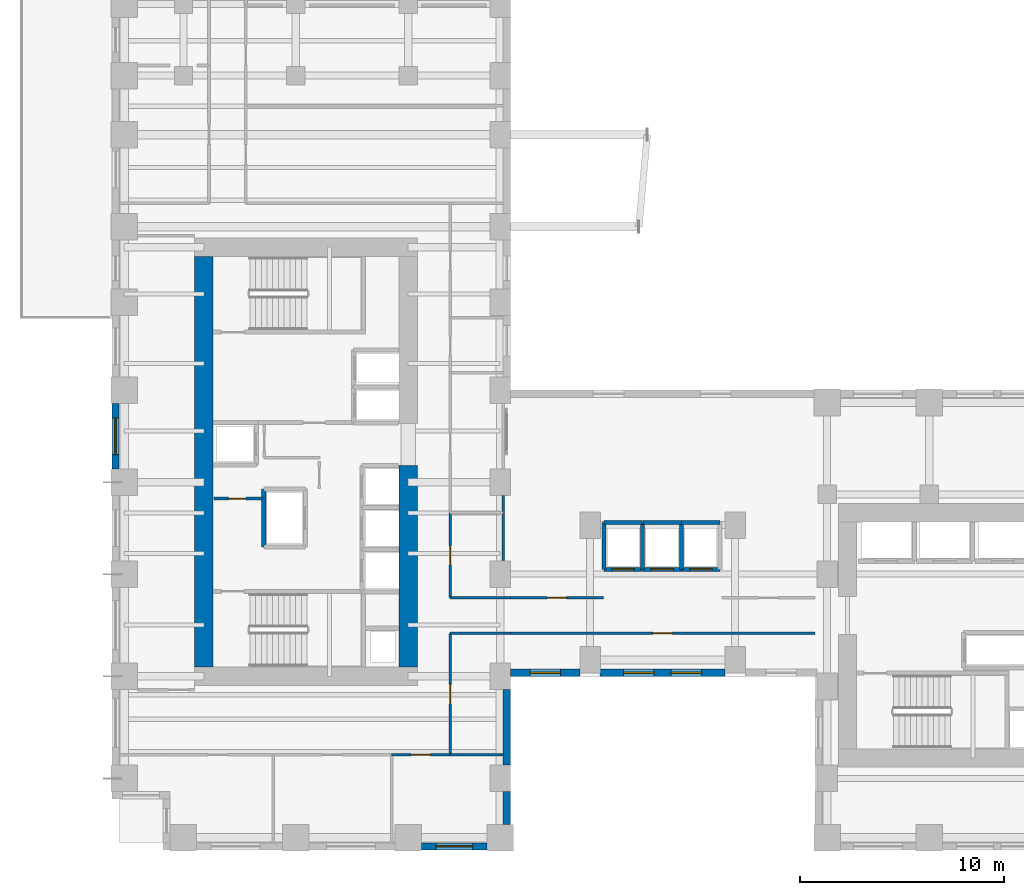
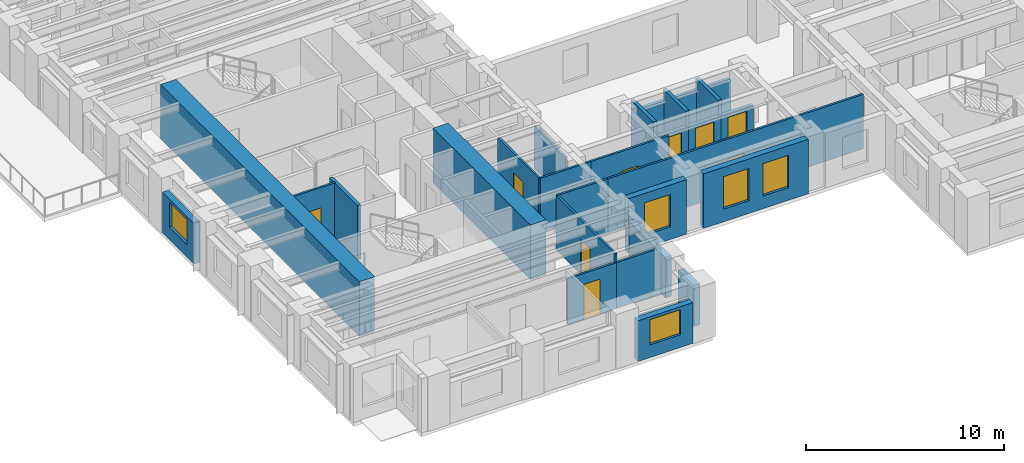
# One storey, part 7 of 15: 28 walls, 9 doors, 5 windows, 14 openings.
"""IFC4 building model written with IfcOpenShell, lengths in metres."""

from ifc_helpers import new_model, si_unit, direction, frame, frame_2d, origin, place, context, subcontext, project, spatial, rectangle, extrude, source, transform, mapped, material, layer, layer_set, type_object, element, fill, save


model = new_model("IFC4")

# Units and contexts
model_context = context("Model", 3, precision=1e-05, world=origin(), true_north=direction((0.0, 1.0)))
body_context = subcontext(model_context, "Body", "Model", "MODEL_VIEW")
ifc_project = project(units=[si_unit("LENGTHUNIT", "METRE"), si_unit("AREAUNIT", "SQUARE_METRE"), si_unit("VOLUMEUNIT", "CUBIC_METRE"), si_unit("PLANEANGLEUNIT", "RADIAN"), si_unit("MASSUNIT", "GRAM", prefix="KILO")], contexts=[model_context])

# Site, building, storey
site_placement = place(None, origin())
site = spatial("IfcSite", under=ifc_project, at=site_placement, CompositionType="ELEMENT")
building_placement = place(site_placement, origin())
building = spatial("IfcBuilding", under=site, at=building_placement, Name="Kharzan Plaza Tower", CompositionType="ELEMENT")
storey_placement = place(building_placement, frame((0.0, 0.0, 22.5)))
storey = spatial("IfcBuildingStorey", under=building, at=storey_placement, Name="L05", CompositionType="ELEMENT", Elevation=22.5)

# Wall, opening, window
ifc_material_1 = material(Name="Concrete C40/50", Category="concrete")
ifc_layer_1 = layer(ifc_material_1, 0.35009765625)
ifc_layer_set_1 = layer_set([ifc_layer_1], Name="Concrete C40/50")
wall_type_1 = type_object("IfcWallType", Name="WL-EXT-MAS-Z1", PredefinedType="SOLIDWALL", material=ifc_layer_set_1)
wall_1_placement = place(storey_placement, frame((0.175048828125, 21.85205078125, 0.0), z_axis=(0.0, 0.0, 1.0), x_axis=(0.0, -1.0, 0.0)))
wall_1 = element("IfcWall", 1, at=wall_1_placement, inside=storey, type_object=wall_type_1, Name="L05 Masonry-Frame Exterior Wall 16", PredefinedType="SOLIDWALL", context=body_context, shape_type="SweptSolid", body=[
    extrude(rectangle(XDim=3.2041015625, YDim=0.35009765625, at=frame_2d((1.60205078125, 0.0))), origin(), (0.0, 0.0, 1.0), 2.510009765625),
])
opening_1_placement = place(wall_1_placement, frame((0.701904296875, 0.0, 0.780029296875)))
opening_1 = element("IfcOpeningElement", 2, at=opening_1_placement, cuts=wall_1, Name="Opening W1", PredefinedType="OPENING", context=body_context, shape_type="SweptSolid", body=[
    extrude(rectangle(XDim=1.800048828125, YDim=1.550048828125, at=frame_2d((0.89990234375, 0.77490234375))), frame((0.0, 0.18505859375, 0.0), z_axis=(0.0, -1.0, 0.0), x_axis=(1.0, 0.0, 0.0)), (0.0, 0.0, 1.0), 0.3701171875),
])
ifc_material_2 = material(Name="Low-E Double Glazing", Category="glass")
window_type_1 = type_object("IfcWindowType", Name="WN-REC-1800x2100", PartitioningType="SINGLE_PANEL", PredefinedType="WINDOW", material=ifc_material_2)
shared_shape_1 = source(origin(), body_context, "Body", "SweptSolid", [
    extrude(rectangle(XDim=1.800048828125, YDim=1.550048828125, at=frame_2d((0.89990234375, 0.77490234375))), frame((0.0, 0.030029296875, 0.0), z_axis=(0.0, -1.0, 0.0), x_axis=(1.0, 0.0, 0.0)), (0.0, 0.0, 1.0), 0.06005859375),
])
window_1_placement = place(opening_1_placement, origin())
window_1 = element("IfcWindow", 3, at=window_1_placement, inside=storey, type_object=window_type_1, Name="L05 Recessed Solar-Control Window 16-1", OverallHeight=1.550048828125, OverallWidth=1.800048828125, PartitioningType="SINGLE_PANEL", PredefinedType="WINDOW", context=body_context, shape_type="MappedRepresentation", body=[
    mapped(shared_shape_1, transform((0.0, 0.0, 0.0), x_axis=(1.0, 0.0, 0.0), y_axis=(0.0, 1.0, 0.0), z_axis=(0.0, 0.0, 1.0))),
])
fill(opening_1, window_1)

wall_2_placement = place(storey_placement, frame((15.14794921875, 0.175048828125, 0.0), z_axis=(0.0, 0.0, 1.0), x_axis=(1.0, 0.0, 0.0)))
wall_2 = element("IfcWall", 4, at=wall_2_placement, inside=storey, type_object=wall_type_1, Name="L05 Masonry-Frame Exterior Wall 25", PredefinedType="SOLIDWALL", context=body_context, shape_type="SweptSolid", body=[
    extrude(rectangle(XDim=3.2041015625, YDim=0.35009765625, at=frame_2d((1.60205078125, 0.0))), origin(), (0.0, 0.0, 1.0), 2.510009765625),
])
opening_2_placement = place(wall_2_placement, frame((0.701904296875, 0.0, 0.780029296875)))
opening_2 = element("IfcOpeningElement", 5, at=opening_2_placement, cuts=wall_2, Name="Opening W1", PredefinedType="OPENING", context=body_context, shape_type="SweptSolid", body=[
    extrude(rectangle(XDim=1.800048828125, YDim=1.550048828125, at=frame_2d((0.89990234375, 0.77490234375))), frame((0.0, 0.18505859375, 0.0), z_axis=(0.0, -1.0, 0.0), x_axis=(1.0, 0.0, 0.0)), (0.0, 0.0, 1.0), 0.3701171875),
])
window_2_placement = place(opening_2_placement, origin())
window_2 = element("IfcWindow", 6, at=window_2_placement, inside=storey, type_object=window_type_1, Name="L05 Recessed Solar-Control Window 25-1", OverallHeight=1.550048828125, OverallWidth=1.800048828125, PartitioningType="SINGLE_PANEL", PredefinedType="WINDOW", context=body_context, shape_type="MappedRepresentation", body=[
    mapped(shared_shape_1, transform((0.0, 0.0, 0.0), x_axis=(1.0, 0.0, 0.0), y_axis=(0.0, 1.0, 0.0), z_axis=(0.0, 0.0, 1.0))),
])
fill(opening_2, window_2)

wall_3_placement = place(storey_placement, frame((19.498046875, 8.675048828125, 0.0), z_axis=(0.0, 0.0, 1.0), x_axis=(1.0, 0.0, 0.0)))
wall_3 = element("IfcWall", 7, at=wall_3_placement, inside=storey, type_object=wall_type_1, Name="L05 Masonry-Frame Exterior Wall 28", PredefinedType="SOLIDWALL", context=body_context, shape_type="SweptSolid", body=[
    extrude(rectangle(XDim=3.404052734375, YDim=0.35009765625, at=frame_2d((1.7021484375, 0.0))), origin(), (0.0, 0.0, 1.0), 3.364990234375),
])
opening_3_placement = place(wall_3_placement, frame((0.951904296875, 0.0, 0.780029296875)))
opening_3 = element("IfcOpeningElement", 8, at=opening_3_placement, cuts=wall_3, Name="Opening W5", PredefinedType="OPENING", context=body_context, shape_type="SweptSolid", body=[
    extrude(rectangle(XDim=1.5, YDim=2.0, at=frame_2d((0.75, 1.0))), frame((0.0, 0.18505859375, 0.0), z_axis=(0.0, -1.0, 0.0), x_axis=(1.0, 0.0, 0.0)), (0.0, 0.0, 1.0), 0.3701171875),
])
window_type_2 = type_object("IfcWindowType", Name="WN-SLT-1500x2000", PartitioningType="SINGLE_PANEL", PredefinedType="WINDOW", material=ifc_material_2)
shared_shape_2 = source(origin(), body_context, "Body", "SweptSolid", [
    extrude(rectangle(XDim=1.5, YDim=2.0, at=frame_2d((0.75, 1.0))), frame((0.0, 0.030029296875, 0.0), z_axis=(0.0, -1.0, 0.0), x_axis=(1.0, 0.0, 0.0)), (0.0, 0.0, 1.0), 0.06005859375),
])
window_3_placement = place(opening_3_placement, origin())
window_3 = element("IfcWindow", 9, at=window_3_placement, inside=storey, type_object=window_type_2, Name="L05 Recessed Solar-Control Window 28-1", OverallHeight=2.0, OverallWidth=1.5, PartitioningType="SINGLE_PANEL", PredefinedType="WINDOW", context=body_context, shape_type="MappedRepresentation", body=[
    mapped(shared_shape_2, transform((0.0, 0.0, 0.0), x_axis=(1.0, 0.0, 0.0), y_axis=(0.0, 1.0, 0.0), z_axis=(0.0, 0.0, 1.0))),
])
fill(opening_3, window_3)

# Wall, openings, windows
wall_4_placement = place(storey_placement, frame((23.89794921875, 8.675048828125, 0.0), z_axis=(0.0, 0.0, 1.0), x_axis=(1.0, 0.0, 0.0)))
wall_4 = element("IfcWall", 10, at=wall_4_placement, inside=storey, type_object=wall_type_1, Name="L05 Masonry-Frame Exterior Wall 29", PredefinedType="SOLIDWALL", context=body_context, shape_type="SweptSolid", body=[
    extrude(rectangle(XDim=6.10400390625, YDim=0.35009765625, at=frame_2d((3.052001953125, 0.0))), origin(), (0.0, 0.0, 1.0), 3.364990234375),
])
opening_4_placement = place(wall_4_placement, frame((1.141357421875, 0.0, 0.780029296875)))
opening_4 = element("IfcOpeningElement", 11, at=opening_4_placement, cuts=wall_4, Name="Opening W5", PredefinedType="OPENING", context=body_context, shape_type="SweptSolid", body=[
    extrude(rectangle(XDim=1.5, YDim=2.0, at=frame_2d((0.75, 1.0))), frame((0.0, 0.18505859375, 0.0), z_axis=(0.0, -1.0, 0.0), x_axis=(1.0, 0.0, 0.0)), (0.0, 0.0, 1.0), 0.3701171875),
])
opening_5_placement = place(wall_4_placement, frame((3.462646484375, 0.0, 0.780029296875)))
opening_5 = element("IfcOpeningElement", 12, at=opening_5_placement, cuts=wall_4, Name="Opening W5", PredefinedType="OPENING", context=body_context, shape_type="SweptSolid", body=[
    extrude(rectangle(XDim=1.5, YDim=2.0, at=frame_2d((0.75, 1.0))), frame((0.0, 0.18505859375, 0.0), z_axis=(0.0, -1.0, 0.0), x_axis=(1.0, 0.0, 0.0)), (0.0, 0.0, 1.0), 0.3701171875),
])
window_4_placement = place(opening_4_placement, origin())
window_4 = element("IfcWindow", 13, at=window_4_placement, inside=storey, type_object=window_type_2, Name="L05 Recessed Solar-Control Window 29-1", OverallHeight=2.0, OverallWidth=1.5, PartitioningType="SINGLE_PANEL", PredefinedType="WINDOW", context=body_context, shape_type="MappedRepresentation", body=[
    mapped(shared_shape_2, transform((0.0, 0.0, 0.0), x_axis=(1.0, 0.0, 0.0), y_axis=(0.0, 1.0, 0.0), z_axis=(0.0, 0.0, 1.0))),
])
fill(opening_4, window_4)
window_5_placement = place(opening_5_placement, origin())
window_5 = element("IfcWindow", 14, at=window_5_placement, inside=storey, type_object=window_type_2, Name="L05 Recessed Solar-Control Window 29-2", OverallHeight=2.0, OverallWidth=1.5, PartitioningType="SINGLE_PANEL", PredefinedType="WINDOW", context=body_context, shape_type="MappedRepresentation", body=[
    mapped(shared_shape_2, transform((0.0, 0.0, 0.0), x_axis=(1.0, 0.0, 0.0), y_axis=(0.0, 1.0, 0.0), z_axis=(0.0, 0.0, 1.0))),
])
fill(opening_5, window_5)

# Wall, opening, door
ifc_material_3 = material(Name="Fire-Rated Gypsum Board Partition", Category="gypsum")
ifc_layer_2 = layer(ifc_material_3, 0.125)
ifc_layer_set_2 = layer_set([ifc_layer_2], Name="Fire-Rated Gypsum Board Partition")
wall_type_2 = type_object("IfcWallType", Name="WL-INT-PART-125", PredefinedType="PARTITIONING", material=ifc_layer_set_2)
wall_5_placement = place(storey_placement, frame((5.0, 17.199951171875, 0.0), z_axis=(0.0, 0.0, 1.0), x_axis=(1.0, 0.0, 0.0)))
wall_5 = element("IfcWall", 15, at=wall_5_placement, inside=storey, type_object=wall_type_2, Name="L05 Interior Partition CA-K2N0", PredefinedType="PARTITIONING", context=body_context, shape_type="SweptSolid", body=[
    extrude(rectangle(XDim=2.39990234375, YDim=0.125, at=frame_2d((1.199951171875, 0.0))), origin(), (0.0, 0.0, 1.0), 3.364990234375),
])
opening_6_placement = place(wall_5_placement, frame((0.699951171875, 0.0, 0.0)))
opening_6 = element("IfcOpeningElement", 16, at=opening_6_placement, cuts=wall_5, Name="Opening RD1", PredefinedType="OPENING", context=body_context, shape_type="SweptSolid", body=[
    extrude(rectangle(XDim=0.85009765625, YDim=2.10009765625, at=frame_2d((0.425048828125, 1.050048828125))), frame((0.0, 0.072509765625, 0.0), z_axis=(0.0, -1.0, 0.0), x_axis=(1.0, 0.0, 0.0)), (0.0, 0.0, 1.0), 0.14501953125),
])
ifc_material_4 = material(Name="Powder-Coated Fire-Rated Steel", Category="steel")
door_type_1 = type_object("IfcDoorType", Name="DR-RISER-900", OperationType="NOTDEFINED", PredefinedType="DOOR", material=ifc_material_4)
shared_shape_3 = source(origin(), body_context, "Body", "SweptSolid", [
    extrude(rectangle(XDim=0.85009765625, YDim=2.10009765625, at=frame_2d((0.425048828125, 1.050048828125))), frame((0.0, 0.02490234375, 0.0), z_axis=(0.0, -1.0, 0.0), x_axis=(1.0, 0.0, 0.0)), (0.0, 0.0, 1.0), 0.050048828125),
])
door_1_placement = place(opening_6_placement, origin())
door_1 = element("IfcDoor", 17, at=door_1_placement, inside=storey, type_object=door_type_1, Name="L05 Core Electrical Store Door", OperationType="SINGLE_SWING_LEFT", OverallHeight=2.10009765625, OverallWidth=0.85009765625, PredefinedType="DOOR", context=body_context, shape_type="MappedRepresentation", body=[
    mapped(shared_shape_3, transform((0.0, 0.0, 0.0), x_axis=(1.0, 0.0, 0.0), y_axis=(0.0, 1.0, 0.0), z_axis=(0.0, 0.0, 1.0))),
])
fill(opening_6, door_1)

wall_6_placement = place(storey_placement, frame((16.550048828125, 12.35009765625, 0.0), z_axis=(0.0, 0.0, 1.0), x_axis=(0.0, 1.0, 0.0)))
wall_6 = element("IfcWall", 18, at=wall_6_placement, inside=storey, type_object=wall_type_2, Name="L05 Interior Partition SH-AEWN1", PredefinedType="PARTITIONING", context=body_context, shape_type="SweptSolid", body=[
    extrude(rectangle(XDim=4.14990234375, YDim=0.125, at=frame_2d((2.074951171875, 0.0))), origin(), (0.0, 0.0, 1.0), 3.364990234375),
])
opening_7_placement = place(wall_6_placement, frame((1.60009765625, 0.0, 0.0)))
opening_7 = element("IfcOpeningElement", 19, at=opening_7_placement, cuts=wall_6, Name="Opening OD1", PredefinedType="OPENING", context=body_context, shape_type="SweptSolid", body=[
    extrude(rectangle(XDim=0.949951171875, YDim=2.14990234375, at=frame_2d((0.47509765625, 1.074951171875))), frame((0.0, 0.072509765625, 0.0), z_axis=(0.0, -1.0, 0.0), x_axis=(1.0, 0.0, 0.0)), (0.0, 0.0, 1.0), 0.14501953125),
])
ifc_material_5 = material(Name="Acoustic Solid-Core Stained Oak", Category="timber")
door_type_2 = type_object("IfcDoorType", Name="DR-OFF-SINGLE", OperationType="NOTDEFINED", PredefinedType="DOOR", material=ifc_material_5)
shared_shape_4 = source(origin(), body_context, "Body", "SweptSolid", [
    extrude(rectangle(XDim=0.949951171875, YDim=2.14990234375, at=frame_2d((0.47509765625, 1.074951171875))), frame((0.0, 0.02490234375, 0.0), z_axis=(0.0, -1.0, 0.0), x_axis=(1.0, 0.0, 0.0)), (0.0, 0.0, 1.0), 0.050048828125),
])
door_2_placement = place(opening_7_placement, origin())
door_2 = element("IfcDoor", 20, at=door_2_placement, inside=storey, type_object=door_type_2, Name="L05 Slot Collaboration Door", OperationType="SINGLE_SWING_LEFT", OverallHeight=2.14990234375, OverallWidth=0.949951171875, PredefinedType="DOOR", context=body_context, shape_type="MappedRepresentation", body=[
    mapped(shared_shape_4, transform((0.0, 0.0, 0.0), x_axis=(1.0, 0.0, 0.0), y_axis=(0.0, 1.0, 0.0), z_axis=(0.0, 0.0, 1.0))),
])
fill(opening_7, door_2)

wall_7_placement = place(storey_placement, frame((16.550048828125, 4.64990234375, 0.0), z_axis=(0.0, 0.0, 1.0), x_axis=(0.0, 1.0, 0.0)))
wall_7 = element("IfcWall", 21, at=wall_7_placement, inside=storey, type_object=wall_type_2, Name="L05 Interior Partition SH-AEWS", PredefinedType="PARTITIONING", context=body_context, shape_type="SweptSolid", body=[
    extrude(rectangle(XDim=5.9501953125, YDim=0.125, at=frame_2d((2.97509765625, 0.0))), origin(), (0.0, 0.0, 1.0), 3.364990234375),
])
opening_8_placement = place(wall_7_placement, frame((2.5, 0.0, 0.0)))
opening_8 = element("IfcOpeningElement", 22, at=opening_8_placement, cuts=wall_7, Name="Opening OD1", PredefinedType="OPENING", context=body_context, shape_type="SweptSolid", body=[
    extrude(rectangle(XDim=0.949951171875, YDim=2.14990234375, at=frame_2d((0.47509765625, 1.074951171875))), frame((0.0, 0.072509765625, 0.0), z_axis=(0.0, -1.0, 0.0), x_axis=(1.0, 0.0, 0.0)), (0.0, 0.0, 1.0), 0.14501953125),
])
door_3_placement = place(opening_8_placement, origin())
door_3 = element("IfcDoor", 23, at=door_3_placement, inside=storey, type_object=door_type_2, Name="L05 Slot South Office Door", OperationType="SINGLE_SWING_RIGHT", OverallHeight=2.14990234375, OverallWidth=0.949951171875, PredefinedType="DOOR", context=body_context, shape_type="MappedRepresentation", body=[
    mapped(shared_shape_4, transform((0.0, 0.0, 0.0), x_axis=(1.0, 0.0, 0.0), y_axis=(0.0, 1.0, 0.0), z_axis=(0.0, 0.0, 1.0))),
])
fill(opening_8, door_3)

wall_8_placement = place(storey_placement, frame((19.5, 12.35009765625, 0.0), z_axis=(0.0, 0.0, 1.0), x_axis=(1.0, 0.0, 0.0)))
wall_8 = element("IfcWall", 24, at=wall_8_placement, inside=storey, type_object=wall_type_2, Name="L05 Interior Partition SH-SPNW1", PredefinedType="PARTITIONING", context=body_context, shape_type="SweptSolid", body=[
    extrude(rectangle(XDim=4.550048828125, YDim=0.125, at=frame_2d((2.27490234375, 0.0))), origin(), (0.0, 0.0, 1.0), 3.364990234375),
])
opening_9_placement = place(wall_8_placement, frame((1.800048828125, 0.0, 0.0)))
opening_9 = element("IfcOpeningElement", 25, at=opening_9_placement, cuts=wall_8, Name="Opening OD1", PredefinedType="OPENING", context=body_context, shape_type="SweptSolid", body=[
    extrude(rectangle(XDim=0.949951171875, YDim=2.14990234375, at=frame_2d((0.47509765625, 1.074951171875))), frame((0.0, 0.072509765625, 0.0), z_axis=(0.0, -1.0, 0.0), x_axis=(1.0, 0.0, 0.0)), (0.0, 0.0, 1.0), 0.14501953125),
])
door_4_placement = place(opening_9_placement, origin())
door_4 = element("IfcDoor", 26, at=door_4_placement, inside=storey, type_object=door_type_2, Name="L05 North-West Spine Door", OperationType="SINGLE_SWING_RIGHT", OverallHeight=2.14990234375, OverallWidth=0.949951171875, PredefinedType="DOOR", context=body_context, shape_type="MappedRepresentation", body=[
    mapped(shared_shape_4, transform((0.0, 0.0, 0.0), x_axis=(1.0, 0.0, 0.0), y_axis=(0.0, 1.0, 0.0), z_axis=(0.0, 0.0, 1.0))),
])
fill(opening_9, door_4)

wall_9_placement = place(storey_placement, frame((19.5, 10.60009765625, 0.0), z_axis=(0.0, 0.0, 1.0), x_axis=(1.0, 0.0, 0.0)))
wall_9 = element("IfcWall", 27, at=wall_9_placement, inside=storey, type_object=wall_type_2, Name="L05 Interior Partition SH-SPS1", PredefinedType="PARTITIONING", context=body_context, shape_type="SweptSolid", body=[
    extrude(rectangle(XDim=14.89990234375, YDim=0.125, at=frame_2d((7.449951171875, 0.0))), origin(), (0.0, 0.0, 1.0), 3.364990234375),
])
opening_10_placement = place(wall_9_placement, frame((6.97509765625, 0.0, 0.0)))
opening_10 = element("IfcOpeningElement", 28, at=opening_10_placement, cuts=wall_9, Name="Opening OD1", PredefinedType="OPENING", context=body_context, shape_type="SweptSolid", body=[
    extrude(rectangle(XDim=0.949951171875, YDim=2.14990234375, at=frame_2d((0.47509765625, 1.074951171875))), frame((0.0, 0.072509765625, 0.0), z_axis=(0.0, -1.0, 0.0), x_axis=(1.0, 0.0, 0.0)), (0.0, 0.0, 1.0), 0.14501953125),
])
door_5_placement = place(opening_10_placement, origin())
door_5 = element("IfcDoor", 29, at=door_5_placement, inside=storey, type_object=door_type_2, Name="L05 South Spine Studio Door", OperationType="SINGLE_SWING_LEFT", OverallHeight=2.14990234375, OverallWidth=0.949951171875, PredefinedType="DOOR", context=body_context, shape_type="MappedRepresentation", body=[
    mapped(shared_shape_4, transform((0.0, 0.0, 0.0), x_axis=(1.0, 0.0, 0.0), y_axis=(0.0, 1.0, 0.0), z_axis=(0.0, 0.0, 1.0))),
])
fill(opening_10, door_5)

wall_10_placement = place(storey_placement, frame((13.68798828125, 4.64990234375, 0.0), z_axis=(0.0, 0.0, 1.0), x_axis=(1.0, 0.0, 0.0)))
wall_10 = element("IfcWall", 30, at=wall_10_placement, inside=storey, type_object=wall_type_2, Name="L05 Interior Partition SH-SS-3", PredefinedType="PARTITIONING", context=body_context, shape_type="SweptSolid", body=[
    extrude(rectangle(XDim=2.862060546875, YDim=0.125, at=frame_2d((1.43115234375, 0.0))), origin(), (0.0, 0.0, 1.0), 2.827880859375),
])
opening_11_placement = place(wall_10_placement, frame((0.9560546875, 0.0, 0.0)))
opening_11 = element("IfcOpeningElement", 31, at=opening_11_placement, cuts=wall_10, Name="Opening OD1", PredefinedType="OPENING", context=body_context, shape_type="SweptSolid", body=[
    extrude(rectangle(XDim=0.949951171875, YDim=2.14990234375, at=frame_2d((0.47509765625, 1.074951171875))), frame((0.0, 0.072509765625, 0.0), z_axis=(0.0, -1.0, 0.0), x_axis=(1.0, 0.0, 0.0)), (0.0, 0.0, 1.0), 0.14501953125),
])
door_6_placement = place(opening_11_placement, origin())
door_6 = element("IfcDoor", 32, at=door_6_placement, inside=storey, type_object=door_type_2, Name="L05 Client Briefing Room Door", OperationType="SINGLE_SWING_LEFT", OverallHeight=2.14990234375, OverallWidth=0.949951171875, PredefinedType="DOOR", context=body_context, shape_type="MappedRepresentation", body=[
    mapped(shared_shape_4, transform((0.0, 0.0, 0.0), x_axis=(1.0, 0.0, 0.0), y_axis=(0.0, 1.0, 0.0), z_axis=(0.0, 0.0, 1.0))),
])
fill(opening_11, door_6)

ifc_layer_3 = layer(ifc_material_1, 0.199951171875)
ifc_layer_set_3 = layer_set([ifc_layer_3], Name="Concrete C40/50")
wall_type_3 = type_object("IfcWallType", Name="WL-INT-SHAFT-200", PredefinedType="PARTITIONING", material=ifc_layer_set_3)
wall_11_placement = place(storey_placement, frame((24.080078125, 13.72998046875, 0.0), z_axis=(0.0, 0.0, 1.0), x_axis=(1.0, 0.0, 0.0)))
wall_11 = element("IfcWall", 33, at=wall_11_placement, inside=storey, type_object=wall_type_3, Name="L05 Interior Partition SHF-PL-M1-S", PredefinedType="PARTITIONING", context=body_context, shape_type="SweptSolid", body=[
    extrude(rectangle(XDim=1.889892578125, YDim=0.199951171875, at=frame_2d((0.94482421875, 0.0))), origin(), (0.0, 0.0, 1.0), 2.446044921875),
])
opening_12_placement = place(wall_11_placement, frame((0.39501953125, 0.0, 0.0)))
opening_12 = element("IfcOpeningElement", 34, at=opening_12_placement, cuts=wall_11, Name="Opening LD", PredefinedType="OPENING", context=body_context, shape_type="SweptSolid", body=[
    extrude(rectangle(XDim=1.10009765625, YDim=2.199951171875, at=frame_2d((0.550048828125, 1.10009765625))), frame((0.0, 0.10986328125, 0.0), z_axis=(0.0, -1.0, 0.0), x_axis=(1.0, 0.0, 0.0)), (0.0, 0.0, 1.0), 0.219970703125),
])
ifc_material_6 = material(Name="Brushed Stainless Steel", Category="steel")
door_type_3 = type_object("IfcDoorType", Name="DR-LIFT-SLIDE", OperationType="SLIDING_TO_LEFT", PredefinedType="DOOR", material=ifc_material_6)
shared_shape_5 = source(origin(), body_context, "Body", "SweptSolid", [
    extrude(rectangle(XDim=1.10009765625, YDim=2.199951171875, at=frame_2d((0.550048828125, 1.10009765625))), frame((0.0, 0.02490234375, 0.0), z_axis=(0.0, -1.0, 0.0), x_axis=(1.0, 0.0, 0.0)), (0.0, 0.0, 1.0), 0.050048828125),
])
door_7_placement = place(opening_12_placement, origin())
door_7 = element("IfcDoor", 35, at=door_7_placement, inside=storey, type_object=door_type_3, Name="L05 Mid-Rise Passenger Lift PL-M1 Sliding Landing Door", OperationType="SLIDING_TO_LEFT", OverallHeight=2.199951171875, OverallWidth=1.10009765625, PredefinedType="DOOR", context=body_context, shape_type="MappedRepresentation", body=[
    mapped(shared_shape_5, transform((0.0, 0.0, 0.0), x_axis=(1.0, 0.0, 0.0), y_axis=(0.0, 1.0, 0.0), z_axis=(0.0, 0.0, 1.0))),
])
fill(opening_12, door_7)

wall_12_placement = place(storey_placement, frame((25.97998046875, 13.72998046875, 0.0), z_axis=(0.0, 0.0, 1.0), x_axis=(1.0, 0.0, 0.0)))
wall_12 = element("IfcWall", 36, at=wall_12_placement, inside=storey, type_object=wall_type_3, Name="L05 Interior Partition SHF-PL-M2-S", PredefinedType="PARTITIONING", context=body_context, shape_type="SweptSolid", body=[
    extrude(rectangle(XDim=1.89013671875, YDim=0.199951171875, at=frame_2d((0.945068359375, 0.0))), origin(), (0.0, 0.0, 1.0), 2.446044921875),
])
opening_13_placement = place(wall_12_placement, frame((0.39501953125, 0.0, 0.0)))
opening_13 = element("IfcOpeningElement", 37, at=opening_13_placement, cuts=wall_12, Name="Opening LD", PredefinedType="OPENING", context=body_context, shape_type="SweptSolid", body=[
    extrude(rectangle(XDim=1.10009765625, YDim=2.199951171875, at=frame_2d((0.550048828125, 1.10009765625))), frame((0.0, 0.10986328125, 0.0), z_axis=(0.0, -1.0, 0.0), x_axis=(1.0, 0.0, 0.0)), (0.0, 0.0, 1.0), 0.219970703125),
])
door_8_placement = place(opening_13_placement, origin())
door_8 = element("IfcDoor", 38, at=door_8_placement, inside=storey, type_object=door_type_3, Name="L05 Mid-Rise Passenger Lift PL-M2 Sliding Landing Door", OperationType="SLIDING_TO_LEFT", OverallHeight=2.199951171875, OverallWidth=1.10009765625, PredefinedType="DOOR", context=body_context, shape_type="MappedRepresentation", body=[
    mapped(shared_shape_5, transform((0.0, 0.0, 0.0), x_axis=(1.0, 0.0, 0.0), y_axis=(0.0, 1.0, 0.0), z_axis=(0.0, 0.0, 1.0))),
])
fill(opening_13, door_8)

wall_13_placement = place(storey_placement, frame((27.8798828125, 13.72998046875, 0.0), z_axis=(0.0, 0.0, 1.0), x_axis=(1.0, 0.0, 0.0)))
wall_13 = element("IfcWall", 39, at=wall_13_placement, inside=storey, type_object=wall_type_3, Name="L05 Interior Partition SHF-PL-M3-S", PredefinedType="PARTITIONING", context=body_context, shape_type="SweptSolid", body=[
    extrude(rectangle(XDim=1.89013671875, YDim=0.199951171875, at=frame_2d((0.945068359375, 0.0))), origin(), (0.0, 0.0, 1.0), 2.446044921875),
])
opening_14_placement = place(wall_13_placement, frame((0.39501953125, 0.0, 0.0)))
opening_14 = element("IfcOpeningElement", 40, at=opening_14_placement, cuts=wall_13, Name="Opening LD", PredefinedType="OPENING", context=body_context, shape_type="SweptSolid", body=[
    extrude(rectangle(XDim=1.10009765625, YDim=2.199951171875, at=frame_2d((0.550048828125, 1.10009765625))), frame((0.0, 0.10986328125, 0.0), z_axis=(0.0, -1.0, 0.0), x_axis=(1.0, 0.0, 0.0)), (0.0, 0.0, 1.0), 0.219970703125),
])
door_9_placement = place(opening_14_placement, origin())
door_9 = element("IfcDoor", 41, at=door_9_placement, inside=storey, type_object=door_type_3, Name="L05 Mid-Rise Passenger Lift PL-M3 Sliding Landing Door", OperationType="SLIDING_TO_LEFT", OverallHeight=2.199951171875, OverallWidth=1.10009765625, PredefinedType="DOOR", context=body_context, shape_type="MappedRepresentation", body=[
    mapped(shared_shape_5, transform((0.0, 0.0, 0.0), x_axis=(1.0, 0.0, 0.0), y_axis=(0.0, 1.0, 0.0), z_axis=(0.0, 0.0, 1.0))),
])
fill(opening_14, door_9)

# Walls
ifc_material_7 = material(Name="Concrete C60/75", Category="concrete")
ifc_layer_4 = layer(ifc_material_7, 0.89990234375)
ifc_layer_set_4 = layer_set([ifc_layer_4], Name="Concrete C60/75")
wall_type_4 = type_object("IfcWallType", Name="WL-CORE-900", PredefinedType="SHEAR", material=ifc_layer_set_4)
shared_shape_6 = source(origin(), body_context, "Body", "SweptSolid", [
    extrude(rectangle(XDim=9.8701171875, YDim=0.89990234375, at=frame_2d((4.93505859375, 0.0))), origin(), (0.0, 0.0, 1.0), 3.3798828125),
])
wall_14_placement = place(storey_placement, frame((14.5, 8.949951171875, 0.0), z_axis=(0.0, 0.0, 1.0), x_axis=(0.0, 1.0, 0.0)))
element("IfcWall", 42, at=wall_14_placement, inside=storey, type_object=wall_type_4, Name="L05 CORE-A east shear pier 1", PredefinedType="SHEAR", context=body_context, shape_type="MappedRepresentation", body=[
    mapped(shared_shape_6, transform((0.0, 0.0, 0.0), x_axis=(1.0, 0.0, 0.0), y_axis=(0.0, 1.0, 0.0), z_axis=(0.0, 0.0, 1.0))),
])
shared_shape_7 = source(origin(), body_context, "Body", "SweptSolid", [
    extrude(rectangle(XDim=20.10009765625, YDim=0.89990234375, at=frame_2d((10.050048828125, 0.0))), origin(), (0.0, 0.0, 1.0), 3.3798828125),
])
wall_15_placement = place(storey_placement, frame((4.5, 8.949951171875, 0.0), z_axis=(0.0, 0.0, 1.0), x_axis=(0.0, 1.0, 0.0)))
element("IfcWall", 43, at=wall_15_placement, inside=storey, type_object=wall_type_4, Name="L05 CORE-A west RC shear wall", PredefinedType="SHEAR", context=body_context, shape_type="MappedRepresentation", body=[
    mapped(shared_shape_7, transform((0.0, 0.0, 0.0), x_axis=(1.0, 0.0, 0.0), y_axis=(0.0, 1.0, 0.0), z_axis=(0.0, 0.0, 1.0))),
])
shared_shape_8 = source(origin(), body_context, "Body", "SweptSolid", [
    extrude(rectangle(XDim=1.60400390625, YDim=0.35009765625, at=frame_2d((0.802001953125, 0.0))), origin(), (0.0, 0.0, 1.0), 2.510009765625),
])
wall_16_placement = place(storey_placement, frame((19.324951171875, 1.248046875, 0.0), z_axis=(0.0, 0.0, 1.0), x_axis=(0.0, 1.0, 0.0)))
element("IfcWall", 44, at=wall_16_placement, inside=storey, type_object=wall_type_1, Name="L05 Masonry-Frame Exterior Wall 26", PredefinedType="SOLIDWALL", context=body_context, shape_type="MappedRepresentation", body=[
    mapped(shared_shape_8, transform((0.0, 0.0, 0.0), x_axis=(1.0, 0.0, 0.0), y_axis=(0.0, 1.0, 0.0), z_axis=(0.0, 0.0, 1.0))),
])
shared_shape_9 = source(origin(), body_context, "Body", "SweptSolid", [
    extrude(rectangle(XDim=3.7041015625, YDim=0.35009765625, at=frame_2d((1.85205078125, 0.0))), origin(), (0.0, 0.0, 1.0), 2.510009765625),
])
wall_17_placement = place(storey_placement, frame((19.324951171875, 4.14794921875, 0.0), z_axis=(0.0, 0.0, 1.0), x_axis=(0.0, 1.0, 0.0)))
element("IfcWall", 45, at=wall_17_placement, inside=storey, type_object=wall_type_1, Name="L05 Masonry-Frame Exterior Wall 27", PredefinedType="SOLIDWALL", context=body_context, shape_type="MappedRepresentation", body=[
    mapped(shared_shape_9, transform((0.0, 0.0, 0.0), x_axis=(1.0, 0.0, 0.0), y_axis=(0.0, 1.0, 0.0), z_axis=(0.0, 0.0, 1.0))),
])
shared_shape_10 = source(origin(), body_context, "Body", "SweptSolid", [
    extrude(rectangle(XDim=3.18017578125, YDim=0.125, at=frame_2d((1.590087890625, 0.0))), origin(), (0.0, 0.0, 1.0), 2.669921875),
])
wall_18_placement = place(storey_placement, frame((19.14990234375, 14.159912109375, 0.0), z_axis=(0.0, 0.0, 1.0), x_axis=(0.0, 1.0, 0.0)))
element("IfcWall", 46, at=wall_18_placement, inside=storey, type_object=wall_type_2, Name="L05 Interior Partition SH-AEN-DIV-S1", PredefinedType="PARTITIONING", context=body_context, shape_type="MappedRepresentation", body=[
    mapped(shared_shape_10, transform((0.0, 0.0, 0.0), x_axis=(1.0, 0.0, 0.0), y_axis=(0.0, 1.0, 0.0), z_axis=(0.0, 0.0, 1.0))),
])
shared_shape_11 = source(origin(), body_context, "Body", "SweptSolid", [
    extrude(rectangle(XDim=2.949951171875, YDim=0.125, at=frame_2d((1.47509765625, 0.0))), origin(), (0.0, 0.0, 1.0), 3.364990234375),
])
for number, where, z_axis, x_axis, name in (
    (47, (16.550048828125, 12.35009765625, 0.0), (0.0, 0.0, 1.0), (1.0, 0.0, 0.0), "L05 Interior Partition SH-SPNW0"),
    (48, (16.550048828125, 10.60009765625, 0.0), (0.0, 0.0, 1.0), (1.0, 0.0, 0.0), "L05 Interior Partition SH-SPS0"),
):
    element("IfcWall", number, at=place(storey_placement, frame(where, z_axis=z_axis, x_axis=x_axis)), inside=storey, type_object=wall_type_2, Name=name, PredefinedType="PARTITIONING", context=body_context, shape_type="MappedRepresentation", body=[
        mapped(shared_shape_11, transform((0.0, 0.0, 0.0), x_axis=(1.0, 0.0, 0.0), y_axis=(0.0, 1.0, 0.0), z_axis=(0.0, 0.0, 1.0))),
    ])
shared_shape_12 = source(origin(), body_context, "Body", "SweptSolid", [
    extrude(rectangle(XDim=2.597900390625, YDim=0.125, at=frame_2d((1.298828125, 0.0))), origin(), (0.0, 0.0, 1.0), 2.827880859375),
])
wall_19_placement = place(storey_placement, frame((16.550048828125, 4.64990234375, 0.0), z_axis=(0.0, 0.0, 1.0), x_axis=(1.0, 0.0, 0.0)))
element("IfcWall", 49, at=wall_19_placement, inside=storey, type_object=wall_type_2, Name="L05 Interior Partition SH-SSE-3", PredefinedType="PARTITIONING", context=body_context, shape_type="MappedRepresentation", body=[
    mapped(shared_shape_12, transform((0.0, 0.0, 0.0), x_axis=(1.0, 0.0, 0.0), y_axis=(0.0, 1.0, 0.0), z_axis=(0.0, 0.0, 1.0))),
])
shared_shape_13 = source(origin(), body_context, "Body", "SweptSolid", [
    extrude(rectangle(XDim=2.2900390625, YDim=0.199951171875, at=frame_2d((1.14501953125, 0.0))), origin(), (0.0, 0.0, 1.0), 3.364990234375),
])
for number, where, z_axis, x_axis, name in (
    (50, (25.969970703125, 13.72998046875, 0.0), (0.0, 0.0, 1.0), (0.0, 1.0, 0.0), "L05 Interior Partition SHF-PL-M1-E"),
    (51, (24.080078125, 13.72998046875, 0.0), (0.0, 0.0, 1.0), (0.0, 1.0, 0.0), "L05 Interior Partition SHF-PL-M1-W"),
    (52, (27.8701171875, 13.72998046875, 0.0), (0.0, 0.0, 1.0), (0.0, 1.0, 0.0), "L05 Interior Partition SHF-PL-M2-E"),
):
    element("IfcWall", number, at=place(storey_placement, frame(where, z_axis=z_axis, x_axis=x_axis)), inside=storey, type_object=wall_type_3, Name=name, PredefinedType="PARTITIONING", context=body_context, shape_type="MappedRepresentation", body=[
        mapped(shared_shape_13, transform((0.0, 0.0, 0.0), x_axis=(1.0, 0.0, 0.0), y_axis=(0.0, 1.0, 0.0), z_axis=(0.0, 0.0, 1.0))),
    ])
shared_shape_14 = source(origin(), body_context, "Body", "SweptSolid", [
    extrude(rectangle(XDim=1.889892578125, YDim=0.199951171875, at=frame_2d((0.94482421875, 0.0))), origin(), (0.0, 0.0, 1.0), 2.669921875),
])
wall_20_placement = place(storey_placement, frame((24.080078125, 16.02001953125, 0.0), z_axis=(0.0, 0.0, 1.0), x_axis=(1.0, 0.0, 0.0)))
element("IfcWall", 53, at=wall_20_placement, inside=storey, type_object=wall_type_3, Name="L05 Interior Partition SHF-PL-M1-N", PredefinedType="PARTITIONING", context=body_context, shape_type="MappedRepresentation", body=[
    mapped(shared_shape_14, transform((0.0, 0.0, 0.0), x_axis=(1.0, 0.0, 0.0), y_axis=(0.0, 1.0, 0.0), z_axis=(0.0, 0.0, 1.0))),
])
shared_shape_15 = source(origin(), body_context, "Body", "SweptSolid", [
    extrude(rectangle(XDim=1.89013671875, YDim=0.199951171875, at=frame_2d((0.945068359375, 0.0))), origin(), (0.0, 0.0, 1.0), 2.669921875),
])
for number, where, z_axis, x_axis, name in (
    (54, (25.97998046875, 16.02001953125, 0.0), (0.0, 0.0, 1.0), (1.0, 0.0, 0.0), "L05 Interior Partition SHF-PL-M2-N"),
    (55, (27.8798828125, 16.02001953125, 0.0), (0.0, 0.0, 1.0), (1.0, 0.0, 0.0), "L05 Interior Partition SHF-PL-M3-N"),
):
    element("IfcWall", number, at=place(storey_placement, frame(where, z_axis=z_axis, x_axis=x_axis)), inside=storey, type_object=wall_type_3, Name=name, PredefinedType="PARTITIONING", context=body_context, shape_type="MappedRepresentation", body=[
        mapped(shared_shape_15, transform((0.0, 0.0, 0.0), x_axis=(1.0, 0.0, 0.0), y_axis=(0.0, 1.0, 0.0), z_axis=(0.0, 0.0, 1.0))),
    ])
shared_shape_16 = source(origin(), body_context, "Body", "SweptSolid", [
    extrude(rectangle(XDim=2.83984375, YDim=0.199951171875, at=frame_2d((1.419921875, 0.0))), origin(), (0.0, 0.0, 1.0), 3.364990234375),
])
wall_21_placement = place(storey_placement, frame((7.429931640625, 14.830078125, 0.0), z_axis=(0.0, 0.0, 1.0), x_axis=(0.0, 1.0, 0.0)))
element("IfcWall", 56, at=wall_21_placement, inside=storey, type_object=wall_type_3, Name="L05 Interior Partition SHF-SVL-1-W", PredefinedType="PARTITIONING", context=body_context, shape_type="MappedRepresentation", body=[
    mapped(shared_shape_16, transform((0.0, 0.0, 0.0), x_axis=(1.0, 0.0, 0.0), y_axis=(0.0, 1.0, 0.0), z_axis=(0.0, 0.0, 1.0))),
])

save(model, "model.ifc")
